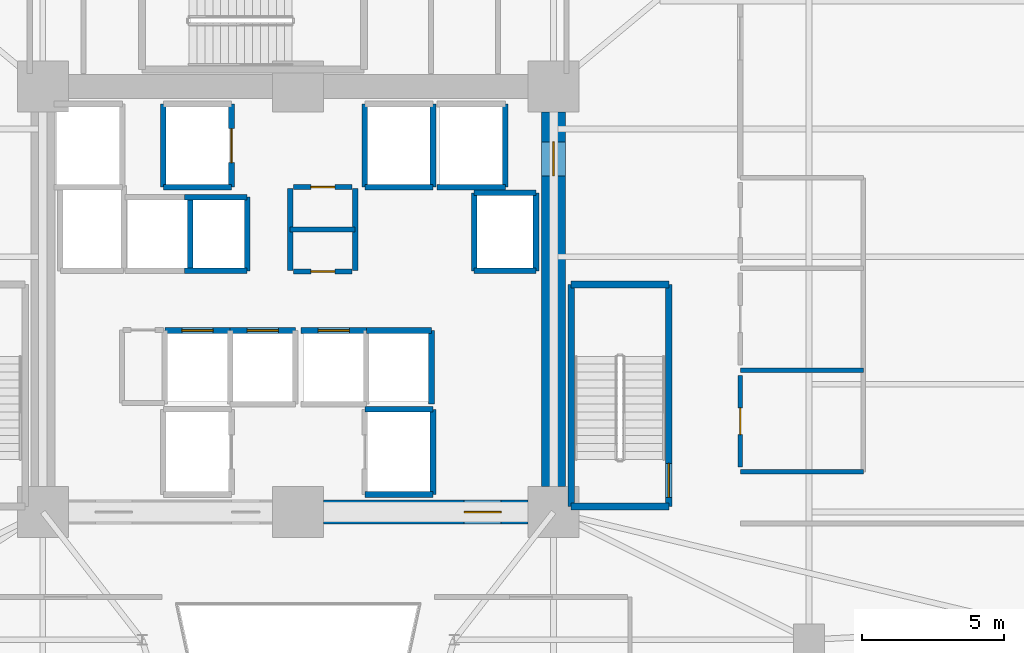
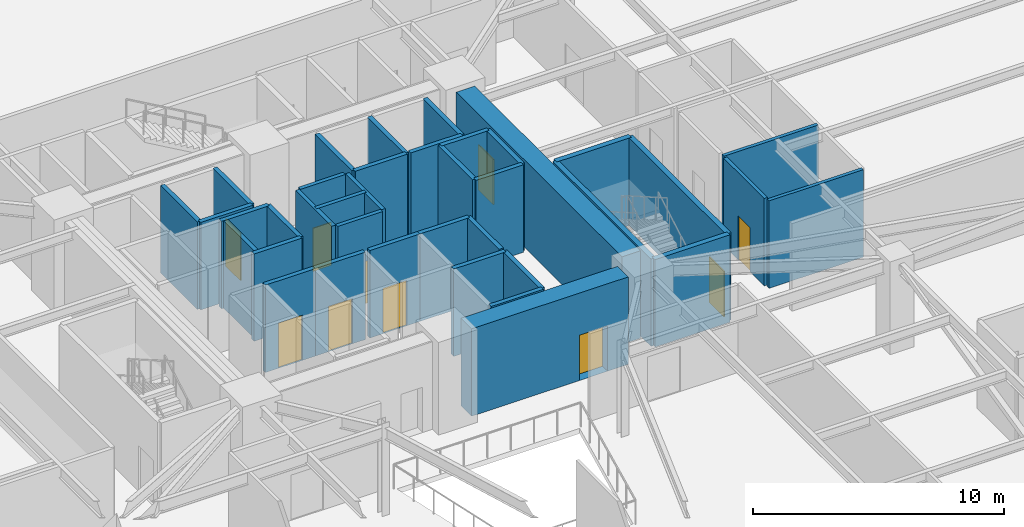
# One storey, part 9 of 19: 38 walls, 10 doors, 10 openings.
"""IFC4 building model written with IfcOpenShell, lengths in metres."""

from ifc_helpers import new_model, si_unit, direction, frame, frame_2d, origin, place, context, subcontext, project, spatial, rectangle, extrude, source, transform, mapped, material, layer, layer_set, type_object, element, fill, save


model = new_model("IFC4")

# Units and contexts
model_context = context("Model", 3, precision=1e-05, world=origin(), true_north=direction((0.0, 1.0)))
body_context = subcontext(model_context, "Body", "Model", "MODEL_VIEW")
ifc_project = project(units=[si_unit("LENGTHUNIT", "METRE"), si_unit("AREAUNIT", "SQUARE_METRE"), si_unit("VOLUMEUNIT", "CUBIC_METRE"), si_unit("PLANEANGLEUNIT", "RADIAN"), si_unit("MASSUNIT", "GRAM", prefix="KILO")], contexts=[model_context])

# Site, building, storey
site_placement = place(None, origin())
site = spatial("IfcSite", under=ifc_project, at=site_placement, CompositionType="ELEMENT")
building_placement = place(site_placement, origin())
building = spatial("IfcBuilding", under=site, at=building_placement, Name="Liaohun Quay Tower", CompositionType="ELEMENT")
storey_placement = place(building_placement, frame((0.0, 0.0, 9.89990234375)))
storey = spatial("IfcBuildingStorey", under=building, at=storey_placement, Name="L03", CompositionType="ELEMENT", Elevation=9.89990234375)

# Wall, opening, door
ifc_material_1 = material(Name="Concrete C60", Category="concrete")
ifc_layer_1 = layer(ifc_material_1, 0.85009765625, Name="Concrete C60", Category="concrete")
ifc_layer_set_1 = layer_set([ifc_layer_1], Name="Concrete C60")
wall_type_1 = type_object("IfcWallType", Name="WAL-COR-Z1", PredefinedType="SHEAR", material=ifc_layer_set_1)
wall_1_placement = place(storey_placement, frame((69.0, 60.60009765625, 0.0), z_axis=(0.0, 0.0, 1.0), x_axis=(0.0, -1.0, 0.0)))
wall_1 = element("IfcWall", 1, at=wall_1_placement, inside=storey, type_object=wall_type_1, Name="L03 Central Core Shear Wall E", PredefinedType="SHEAR", context=body_context, shape_type="SweptSolid", body=[
    extrude(rectangle(XDim=13.2001953125, YDim=0.85009765625, at=frame_2d((6.60009765625, 0.0))), origin(), (0.0, 0.0, 1.0), 4.25),
])
shared_shape_1 = source(origin(), body_context, "Body", "SweptSolid", [
    extrude(rectangle(XDim=1.199951171875, YDim=2.199951171875, at=frame_2d((0.60009765625, 1.10009765625))), frame((0.0, 0.43505859375, 0.0), z_axis=(0.0, -1.0, 0.0), x_axis=(1.0, 0.0, 0.0)), (0.0, 0.0, 1.0), 0.8701171875),
])
opening_1_placement = place(wall_1_placement, frame((1.050048828125, 0.0, 0.0)))
opening_1 = element("IfcOpeningElement", 2, at=opening_1_placement, cuts=wall_1, Name="Opening SD1", PredefinedType="OPENING", context=body_context, shape_type="MappedRepresentation", body=[
    mapped(shared_shape_1, transform((0.0, 0.0, 0.0), x_axis=(1.0, 0.0, 0.0), y_axis=(0.0, 1.0, 0.0), z_axis=(0.0, 0.0, 1.0), scale=1.0)),
])
ifc_material_2 = material(Name="Galvanised steel fire door", Category="steel")
door_type_1 = type_object("IfcDoorType", Name="DOR-STR-1200", OperationType="NOTDEFINED", PredefinedType="DOOR", material=ifc_material_2)
shared_shape_2 = source(origin(), body_context, "Body", "SweptSolid", [
    extrude(rectangle(XDim=1.199951171875, YDim=2.199951171875, at=frame_2d((0.60009765625, 1.10009765625))), frame((0.0, 0.02490234375, 0.0), z_axis=(0.0, -1.0, 0.0), x_axis=(1.0, 0.0, 0.0)), (0.0, 0.0, 1.0), 0.050048828125),
])
door_1_placement = place(opening_1_placement, origin())
door_1 = element("IfcDoor", 3, at=door_1_placement, inside=storey, type_object=door_type_1, Name="L03 North-East Core Lobby Smokeproof Door", OperationType="SINGLE_SWING_LEFT", OverallHeight=2.199951171875, OverallWidth=1.199951171875, PredefinedType="DOOR", context=body_context, shape_type="MappedRepresentation", body=[
    mapped(shared_shape_2, transform((0.0, 0.0, 0.0), x_axis=(1.0, 0.0, 0.0), y_axis=(0.0, 1.0, 0.0), z_axis=(0.0, 0.0, 1.0), scale=1.0)),
])
fill(opening_1, door_1)

wall_2_placement = place(storey_placement, frame((68.10009765625, 46.5, 0.0), z_axis=(0.0, 0.0, 1.0), x_axis=(-1.0, 0.0, 0.0)))
wall_2 = element("IfcWall", 4, at=wall_2_placement, inside=storey, type_object=wall_type_1, Name="L03 Central Core Shear Wall S-E", PredefinedType="SHEAR", context=body_context, shape_type="SweptSolid", body=[
    extrude(rectangle(XDim=7.2001953125, YDim=0.85009765625, at=frame_2d((3.60009765625, 0.0))), origin(), (0.0, 0.0, 1.0), 4.25),
])
shared_shape_3 = source(origin(), body_context, "Body", "SweptSolid", [
    extrude(rectangle(XDim=1.300048828125, YDim=2.199951171875, at=frame_2d((0.64990234375, 1.10009765625))), frame((0.0, 0.43505859375, 0.0), z_axis=(0.0, -1.0, 0.0), x_axis=(1.0, 0.0, 0.0)), (0.0, 0.0, 1.0), 0.8701171875),
])
opening_2_placement = place(wall_2_placement, frame((0.949951171875, 0.0, 0.0)))
opening_2 = element("IfcOpeningElement", 5, at=opening_2_placement, cuts=wall_2, Name="Opening FD1", PredefinedType="OPENING", context=body_context, shape_type="MappedRepresentation", body=[
    mapped(shared_shape_3, transform((0.0, 0.0, 0.0), x_axis=(1.0, 0.0, 0.0), y_axis=(0.0, 1.0, 0.0), z_axis=(0.0, 0.0, 1.0), scale=1.0)),
])
ifc_material_3 = material(Name="Galvanised steel smokeproof fire door", Category="steel")
door_type_2 = type_object("IfcDoorType", Name="DOR-FFL-1300", OperationType="NOTDEFINED", PredefinedType="DOOR", material=ifc_material_3)
shared_shape_4 = source(origin(), body_context, "Body", "SweptSolid", [
    extrude(rectangle(XDim=1.300048828125, YDim=2.199951171875, at=frame_2d((0.64990234375, 1.10009765625))), frame((0.0, 0.02490234375, 0.0), z_axis=(0.0, -1.0, 0.0), x_axis=(1.0, 0.0, 0.0)), (0.0, 0.0, 1.0), 0.050048828125),
])
door_2_placement = place(opening_2_placement, origin())
door_2 = element("IfcDoor", 6, at=door_2_placement, inside=storey, type_object=door_type_2, Name="L03 East Core Lift Lobby Smokeproof Door", OperationType="SINGLE_SWING_LEFT", OverallHeight=2.199951171875, OverallWidth=1.300048828125, PredefinedType="DOOR", context=body_context, shape_type="MappedRepresentation", body=[
    mapped(shared_shape_4, transform((0.0, 0.0, 0.0), x_axis=(1.0, 0.0, 0.0), y_axis=(0.0, 1.0, 0.0), z_axis=(0.0, 0.0, 1.0), scale=1.0)),
])
fill(opening_2, door_2)

ifc_material_4 = material(Name="Autoclaved aerated concrete blockwork", Category="masonry")
ifc_layer_2 = layer(ifc_material_4, 0.179931640625, Name="Autoclaved aerated concrete blockwork", Category="masonry")
ifc_layer_set_2 = layer_set([ifc_layer_2], Name="Autoclaved aerated concrete blockwork")
wall_type_2 = type_object("IfcWallType", Name="WAL-PRT-COR", PredefinedType="PARTITIONING", material=ifc_layer_set_2)
wall_3_placement = place(storey_placement, frame((59.840087890625, 54.97998046875, 0.0), z_axis=(0.0, 0.0, 1.0), x_axis=(1.0, 0.0, 0.0)))
wall_3 = element("IfcWall", 7, at=wall_3_placement, inside=storey, type_object=wall_type_2, Name="L03 Interior Partition Wall 001", PredefinedType="PARTITIONING", context=body_context, shape_type="SweptSolid", body=[
    extrude(rectangle(XDim=2.059814453125, YDim=0.179931640625, at=frame_2d((1.02978515625, 0.0))), origin(), (0.0, 0.0, 1.0), 4.25),
])
shared_shape_5 = source(origin(), body_context, "Body", "SweptSolid", [
    extrude(rectangle(XDim=0.85009765625, YDim=2.10009765625, at=frame_2d((0.425048828125, 1.050048828125))), frame((0.0, 0.099853515625, 0.0), z_axis=(0.0, -1.0, 0.0), x_axis=(1.0, 0.0, 0.0)), (0.0, 0.0, 1.0), 0.199951171875),
])
opening_3_placement = place(wall_3_placement, frame((0.60498046875, 0.0, 0.0)))
opening_3 = element("IfcOpeningElement", 8, at=opening_3_placement, cuts=wall_3, Name="Opening AD1", PredefinedType="OPENING", context=body_context, shape_type="MappedRepresentation", body=[
    mapped(shared_shape_5, transform((0.0, 0.0, 0.0), x_axis=(1.0, 0.0, 0.0), y_axis=(0.0, 1.0, 0.0), z_axis=(0.0, 0.0, 1.0), scale=1.0)),
])
ifc_material_5 = material(Name="Steel riser inspection fire door", Category="steel")
door_type_3 = type_object("IfcDoorType", Name="DOR-SHF-850", OperationType="NOTDEFINED", PredefinedType="DOOR", material=ifc_material_5)
shared_shape_6 = source(origin(), body_context, "Body", "SweptSolid", [
    extrude(rectangle(XDim=0.85009765625, YDim=2.10009765625, at=frame_2d((0.425048828125, 1.050048828125))), frame((0.0, 0.02490234375, 0.0), z_axis=(0.0, -1.0, 0.0), x_axis=(1.0, 0.0, 0.0)), (0.0, 0.0, 1.0), 0.050048828125),
])
door_3_placement = place(opening_3_placement, origin())
door_3 = element("IfcDoor", 9, at=door_3_placement, inside=storey, type_object=door_type_3, Name="L03 Electrical Riser Room Door", OperationType="SINGLE_SWING_RIGHT", OverallHeight=2.10009765625, OverallWidth=0.85009765625, PredefinedType="DOOR", context=body_context, shape_type="MappedRepresentation", body=[
    mapped(shared_shape_6, transform((0.0, 0.0, 0.0), x_axis=(1.0, 0.0, 0.0), y_axis=(0.0, 1.0, 0.0), z_axis=(0.0, 0.0, 1.0), scale=1.0)),
])
fill(opening_3, door_3)

wall_4_placement = place(storey_placement, frame((59.840087890625, 57.949951171875, 0.0), z_axis=(0.0, 0.0, 1.0), x_axis=(1.0, 0.0, 0.0)))
wall_4 = element("IfcWall", 10, at=wall_4_placement, inside=storey, type_object=wall_type_2, Name="L03 Interior Partition Wall 002", PredefinedType="PARTITIONING", context=body_context, shape_type="SweptSolid", body=[
    extrude(rectangle(XDim=2.059814453125, YDim=0.179931640625, at=frame_2d((1.02978515625, 0.0))), origin(), (0.0, 0.0, 1.0), 4.25),
])
opening_4_placement = place(wall_4_placement, frame((0.60498046875, 0.0, 0.0)))
opening_4 = element("IfcOpeningElement", 11, at=opening_4_placement, cuts=wall_4, Name="Opening AD1", PredefinedType="OPENING", context=body_context, shape_type="MappedRepresentation", body=[
    mapped(shared_shape_5, transform((0.0, 0.0, 0.0), x_axis=(1.0, 0.0, 0.0), y_axis=(0.0, 1.0, 0.0), z_axis=(0.0, 0.0, 1.0), scale=1.0)),
])
door_4_placement = place(opening_4_placement, origin())
door_4 = element("IfcDoor", 12, at=door_4_placement, inside=storey, type_object=door_type_3, Name="L03 Telecom Comms Closet Door", OperationType="SINGLE_SWING_LEFT", OverallHeight=2.10009765625, OverallWidth=0.85009765625, PredefinedType="DOOR", context=body_context, shape_type="MappedRepresentation", body=[
    mapped(shared_shape_6, transform((0.0, 0.0, 0.0), x_axis=(1.0, 0.0, 0.0), y_axis=(0.0, 1.0, 0.0), z_axis=(0.0, 0.0, 1.0), scale=1.0)),
])
fill(opening_4, door_4)

# Walls
for number, where, z_axis, x_axis, name in (
    (13, (59.719970703125, 55.02001953125, 0.0), (0.0, 0.0, 1.0), (0.0, 1.0, 0.0), "L03 Interior Partition Wall 021"),
    (14, (62.010009765625, 55.02001953125, 0.0), (0.0, 0.0, 1.0), (0.0, 1.0, 0.0), "L03 Interior Partition Wall 022"),
):
    element("IfcWall", number, at=place(storey_placement, frame(where, z_axis=z_axis, x_axis=x_axis)), inside=storey, type_object=wall_type_2, Name=name, PredefinedType="PARTITIONING", context=body_context, shape_type="SweptSolid", body=[
        extrude(rectangle(XDim=2.8798828125, YDim=0.179931640625, at=frame_2d((1.43994140625, 0.0))), origin(), (0.0, 0.0, 1.0), 4.25),
    ])
wall_5_placement = place(storey_placement, frame((59.719970703125, 56.4599609375, 0.0), z_axis=(0.0, 0.0, 1.0), x_axis=(1.0, 0.0, 0.0)))
element("IfcWall", 15, at=wall_5_placement, inside=storey, type_object=wall_type_2, Name="L03 Interior Partition Wall 023", PredefinedType="PARTITIONING", context=body_context, shape_type="SweptSolid", body=[
    extrude(rectangle(XDim=2.2900390625, YDim=0.179931640625, at=frame_2d((1.14501953125, 0.0))), origin(), (0.0, 0.0, 1.0), 4.25),
])

# Wall, opening, door
ifc_material_6 = material(Name="Moisture-resistant masonry blockwork", Category="masonry")
ifc_layer_3 = layer(ifc_material_6, 0.159912109375, Name="Moisture-resistant masonry blockwork", Category="masonry")
ifc_layer_set_3 = layer_set([ifc_layer_3], Name="Moisture-resistant masonry blockwork")
wall_type_3 = type_object("IfcWallType", Name="WAL-PRT-WET", PredefinedType="PARTITIONING", material=ifc_layer_set_3)
wall_6_placement = place(storey_placement, frame((75.580078125, 48.080078125, 0.0), z_axis=(0.0, 0.0, 1.0), x_axis=(0.0, 1.0, 0.0)))
wall_6 = element("IfcWall", 16, at=wall_6_placement, inside=storey, type_object=wall_type_3, Name="L03 Interior Partition Wall 004", PredefinedType="PARTITIONING", context=body_context, shape_type="SweptSolid", body=[
    extrude(rectangle(XDim=3.239990234375, YDim=0.159912109375, at=frame_2d((1.6201171875, 0.0))), origin(), (0.0, 0.0, 1.0), 4.25),
])
shared_shape_7 = source(origin(), body_context, "Body", "SweptSolid", [
    extrude(rectangle(XDim=0.949951171875, YDim=2.14990234375, at=frame_2d((0.47509765625, 1.074951171875))), frame((0.0, 0.08984375, 0.0), z_axis=(0.0, -1.0, 0.0), x_axis=(1.0, 0.0, 0.0)), (0.0, 0.0, 1.0), 0.179931640625),
])
opening_5_placement = place(wall_6_placement, frame((1.14501953125, 0.0, 0.0)))
opening_5 = element("IfcOpeningElement", 17, at=opening_5_placement, cuts=wall_6, Name="Opening WD1", PredefinedType="OPENING", context=body_context, shape_type="MappedRepresentation", body=[
    mapped(shared_shape_7, transform((0.0, 0.0, 0.0), x_axis=(1.0, 0.0, 0.0), y_axis=(0.0, 1.0, 0.0), z_axis=(0.0, 0.0, 1.0), scale=1.0)),
])
ifc_material_7 = material(Name="Moisture-resistant laminate timber leaf", Category="wood")
door_type_4 = type_object("IfcDoorType", Name="DOR-WC-950", OperationType="NOTDEFINED", PredefinedType="DOOR", material=ifc_material_7)
shared_shape_8 = source(origin(), body_context, "Body", "SweptSolid", [
    extrude(rectangle(XDim=0.949951171875, YDim=2.14990234375, at=frame_2d((0.47509765625, 1.074951171875))), frame((0.0, 0.02490234375, 0.0), z_axis=(0.0, -1.0, 0.0), x_axis=(1.0, 0.0, 0.0)), (0.0, 0.0, 1.0), 0.050048828125),
])
door_5_placement = place(opening_5_placement, origin())
door_5 = element("IfcDoor", 18, at=door_5_placement, inside=storey, type_object=door_type_4, Name="L03 Podium Male Restroom WC Door", OperationType="SINGLE_SWING_LEFT", OverallHeight=2.14990234375, OverallWidth=0.949951171875, PredefinedType="DOOR", context=body_context, shape_type="MappedRepresentation", body=[
    mapped(shared_shape_8, transform((0.0, 0.0, 0.0), x_axis=(1.0, 0.0, 0.0), y_axis=(0.0, 1.0, 0.0), z_axis=(0.0, 0.0, 1.0), scale=1.0)),
])
fill(opening_5, door_5)

# Walls
for number, where, z_axis, x_axis, name in (
    (19, (75.580078125, 47.919921875, 0.0), (0.0, 0.0, 1.0), (1.0, 0.0, 0.0), "L03 Interior Partition Wall 027"),
    (20, (75.580078125, 51.5, 0.0), (0.0, 0.0, 1.0), (1.0, 0.0, 0.0), "L03 Interior Partition Wall 028"),
):
    element("IfcWall", number, at=place(storey_placement, frame(where, z_axis=z_axis, x_axis=x_axis)), inside=storey, type_object=wall_type_3, Name=name, PredefinedType="PARTITIONING", context=body_context, shape_type="SweptSolid", body=[
        extrude(rectangle(XDim=4.33984375, YDim=0.159912109375, at=frame_2d((2.169921875, 0.0))), origin(), (0.0, 0.0, 1.0), 4.25),
    ])
ifc_material_8 = material(Name="Concrete C50", Category="concrete")
ifc_layer_4 = layer(ifc_material_8, 0.239990234375, Name="Concrete C50", Category="concrete")
ifc_layer_set_4 = layer_set([ifc_layer_4], Name="Concrete C50")
wall_type_4 = type_object("IfcWallType", Name="WAL-SHF-200", PredefinedType="SOLIDWALL", material=ifc_layer_set_4)
wall_7_placement = place(storey_placement, frame((69.6201171875, 46.699951171875, 0.0), z_axis=(0.0, 0.0, 1.0), x_axis=(1.0, 0.0, 0.0)))
element("IfcWall", 21, at=wall_7_placement, inside=storey, type_object=wall_type_4, Name="L03 Stairwell ST-2 Structural Core Wall S", PredefinedType="SOLIDWALL", context=body_context, shape_type="SweptSolid", body=[
    extrude(rectangle(XDim=3.43994140625, YDim=0.239990234375, at=frame_2d((1.719970703125, 0.0))), origin(), (0.0, 0.0, 1.0), 4.25),
])

# Wall, opening, door
wall_8_placement = place(storey_placement, frame((73.06005859375, 46.699951171875, 0.0), z_axis=(0.0, 0.0, 1.0), x_axis=(0.0, 1.0, 0.0)))
wall_8 = element("IfcWall", 22, at=wall_8_placement, inside=storey, type_object=wall_type_4, Name="L03 Stairwell ST-2 Structural Core Wall E", PredefinedType="SOLIDWALL", context=body_context, shape_type="SweptSolid", body=[
    extrude(rectangle(XDim=7.820068359375, YDim=0.239990234375, at=frame_2d((3.91015625, 0.0))), origin(), (0.0, 0.0, 1.0), 4.25),
])
shared_shape_9 = source(origin(), body_context, "Body", "SweptSolid", [
    extrude(rectangle(XDim=1.199951171875, YDim=2.199951171875, at=frame_2d((0.60009765625, 1.10009765625))), frame((0.0, 0.1298828125, 0.0), z_axis=(0.0, -1.0, 0.0), x_axis=(1.0, 0.0, 0.0)), (0.0, 0.0, 1.0), 0.260009765625),
])
opening_6_placement = place(wall_8_placement, frame((0.320068359375, 0.0, 0.0)))
opening_6 = element("IfcOpeningElement", 23, at=opening_6_placement, cuts=wall_8, Name="Opening SD1", PredefinedType="OPENING", context=body_context, shape_type="MappedRepresentation", body=[
    mapped(shared_shape_9, transform((0.0, 0.0, 0.0), x_axis=(1.0, 0.0, 0.0), y_axis=(0.0, 1.0, 0.0), z_axis=(0.0, 0.0, 1.0), scale=1.0)),
])
door_6_placement = place(opening_6_placement, origin())
door_6 = element("IfcDoor", 24, at=door_6_placement, inside=storey, type_object=door_type_1, Name="L03 Protected Stair ST-2 Fire Door", OperationType="SINGLE_SWING_RIGHT", OverallHeight=2.199951171875, OverallWidth=1.199951171875, PredefinedType="DOOR", context=body_context, shape_type="MappedRepresentation", body=[
    mapped(shared_shape_2, transform((0.0, 0.0, 0.0), x_axis=(1.0, 0.0, 0.0), y_axis=(0.0, 1.0, 0.0), z_axis=(0.0, 0.0, 1.0), scale=1.0)),
])
fill(opening_6, door_6)

# Walls
wall_9_placement = place(storey_placement, frame((73.06005859375, 54.52001953125, 0.0), z_axis=(0.0, 0.0, 1.0), x_axis=(-1.0, 0.0, 0.0)))
element("IfcWall", 25, at=wall_9_placement, inside=storey, type_object=wall_type_4, Name="L03 Stairwell ST-2 Structural Core Wall N", PredefinedType="SOLIDWALL", context=body_context, shape_type="SweptSolid", body=[
    extrude(rectangle(XDim=3.43994140625, YDim=0.239990234375, at=frame_2d((1.719970703125, 0.0))), origin(), (0.0, 0.0, 1.0), 4.25),
])
wall_10_placement = place(storey_placement, frame((69.6201171875, 54.52001953125, 0.0), z_axis=(0.0, 0.0, 1.0), x_axis=(0.0, -1.0, 0.0)))
element("IfcWall", 26, at=wall_10_placement, inside=storey, type_object=wall_type_4, Name="L03 Stairwell ST-2 Structural Core Wall W", PredefinedType="SOLIDWALL", context=body_context, shape_type="SweptSolid", body=[
    extrude(rectangle(XDim=7.820068359375, YDim=0.239990234375, at=frame_2d((3.91015625, 0.0))), origin(), (0.0, 0.0, 1.0), 4.25),
])
wall_11_placement = place(storey_placement, frame((62.35009765625, 47.1201171875, 0.0), z_axis=(0.0, 0.0, 1.0), x_axis=(1.0, 0.0, 0.0)))
element("IfcWall", 27, at=wall_11_placement, inside=storey, type_object=wall_type_4, Name="L03 Lift FF-02 Hoistway Wall S", PredefinedType="SOLIDWALL", context=body_context, shape_type="SweptSolid", body=[
    extrude(rectangle(XDim=2.39990234375, YDim=0.199951171875, at=frame_2d((1.199951171875, 0.0))), origin(), (0.0, 0.0, 1.0), 4.25),
])
wall_12_placement = place(storey_placement, frame((64.75, 47.1201171875, 0.0), z_axis=(0.0, 0.0, 1.0), x_axis=(0.0, 1.0, 0.0)))
element("IfcWall", 28, at=wall_12_placement, inside=storey, type_object=wall_type_4, Name="L03 Lift FF-02 Hoistway Wall E", PredefinedType="SOLIDWALL", context=body_context, shape_type="SweptSolid", body=[
    extrude(rectangle(XDim=3.0, YDim=0.199951171875, at=frame_2d((1.5, 0.0))), origin(), (0.0, 0.0, 1.0), 4.25),
])
for number, where, z_axis, x_axis, name in (
    (29, (64.75, 50.1201171875, 0.0), (0.0, 0.0, 1.0), (-1.0, 0.0, 0.0), "L03 Lift FF-02 Hoistway Wall N"),
    (30, (55.25, 57.949951171875, 0.0), (0.0, 0.0, 1.0), (1.0, 0.0, 0.0), "L03 Lift FF-03 Hoistway Wall S"),
):
    element("IfcWall", number, at=place(storey_placement, frame(where, z_axis=z_axis, x_axis=x_axis)), inside=storey, type_object=wall_type_4, Name=name, PredefinedType="SOLIDWALL", context=body_context, shape_type="SweptSolid", body=[
        extrude(rectangle(XDim=2.39990234375, YDim=0.199951171875, at=frame_2d((1.199951171875, 0.0))), origin(), (0.0, 0.0, 1.0), 4.25),
    ])

# Wall, opening, door
wall_13_placement = place(storey_placement, frame((57.64990234375, 57.949951171875, 0.0), z_axis=(0.0, 0.0, 1.0), x_axis=(0.0, 1.0, 0.0)))
wall_13 = element("IfcWall", 31, at=wall_13_placement, inside=storey, type_object=wall_type_4, Name="L03 Lift FF-03 Hoistway Wall E", PredefinedType="SOLIDWALL", context=body_context, shape_type="SweptSolid", body=[
    extrude(rectangle(XDim=2.929931640625, YDim=0.199951171875, at=frame_2d((1.46484375, 0.0))), origin(), (0.0, 0.0, 1.0), 4.25),
])
shared_shape_10 = source(origin(), body_context, "Body", "SweptSolid", [
    extrude(rectangle(XDim=1.199951171875, YDim=2.300048828125, at=frame_2d((0.60009765625, 1.14990234375))), frame((0.0, 0.10986328125, 0.0), z_axis=(0.0, -1.0, 0.0), x_axis=(1.0, 0.0, 0.0)), (0.0, 0.0, 1.0), 0.219970703125),
])
opening_7_placement = place(wall_13_placement, frame((0.864990234375, 0.0, 0.0)))
opening_7 = element("IfcOpeningElement", 32, at=opening_7_placement, cuts=wall_13, Name="Opening LD2", PredefinedType="OPENING", context=body_context, shape_type="MappedRepresentation", body=[
    mapped(shared_shape_10, transform((0.0, 0.0, 0.0), x_axis=(1.0, 0.0, 0.0), y_axis=(0.0, 1.0, 0.0), z_axis=(0.0, 0.0, 1.0), scale=1.0)),
])
ifc_material_9 = material(Name="Brushed stainless steel stretcher landing door", Category="steel")
door_type_5 = type_object("IfcDoorType", Name="DOR-LFT-1200", OperationType="SLIDING_TO_LEFT", PredefinedType="DOOR", material=ifc_material_9)
shared_shape_11 = source(origin(), body_context, "Body", "SweptSolid", [
    extrude(rectangle(XDim=1.199951171875, YDim=2.300048828125, at=frame_2d((0.60009765625, 1.14990234375))), frame((0.0, 0.02490234375, 0.0), z_axis=(0.0, -1.0, 0.0), x_axis=(1.0, 0.0, 0.0)), (0.0, 0.0, 1.0), 0.050048828125),
])
door_7_placement = place(opening_7_placement, origin())
door_7 = element("IfcDoor", 33, at=door_7_placement, inside=storey, type_object=door_type_5, Name="L03 Lift FF-03 Sliding Landing Door", OperationType="SLIDING_TO_LEFT", OverallHeight=2.300048828125, OverallWidth=1.199951171875, PredefinedType="DOOR", context=body_context, shape_type="MappedRepresentation", body=[
    mapped(shared_shape_11, transform((0.0, 0.0, 0.0), x_axis=(1.0, 0.0, 0.0), y_axis=(0.0, 1.0, 0.0), z_axis=(0.0, 0.0, 1.0), scale=1.0)),
])
fill(opening_7, door_7)

# Walls
wall_14_placement = place(storey_placement, frame((55.25, 60.8798828125, 0.0), z_axis=(0.0, 0.0, 1.0), x_axis=(0.0, -1.0, 0.0)))
element("IfcWall", 34, at=wall_14_placement, inside=storey, type_object=wall_type_4, Name="L03 Lift FF-03 Hoistway Wall W", PredefinedType="SOLIDWALL", context=body_context, shape_type="SweptSolid", body=[
    extrude(rectangle(XDim=2.929931640625, YDim=0.199951171875, at=frame_2d((1.46484375, 0.0))), origin(), (0.0, 0.0, 1.0), 4.25),
])
wall_15_placement = place(storey_placement, frame((62.35009765625, 57.949951171875, 0.0), z_axis=(0.0, 0.0, 1.0), x_axis=(1.0, 0.0, 0.0)))
element("IfcWall", 35, at=wall_15_placement, inside=storey, type_object=wall_type_4, Name="L03 Lift OB-01 Hoistway Wall S", PredefinedType="SOLIDWALL", context=body_context, shape_type="SweptSolid", body=[
    extrude(rectangle(XDim=2.39990234375, YDim=0.199951171875, at=frame_2d((1.199951171875, 0.0))), origin(), (0.0, 0.0, 1.0), 4.25),
])
for number, where, z_axis, x_axis, name in (
    (36, (64.75, 57.949951171875, 0.0), (0.0, 0.0, 1.0), (0.0, 1.0, 0.0), "L03 Lift OB-01 Hoistway Wall E"),
    (37, (62.35009765625, 60.8798828125, 0.0), (0.0, 0.0, 1.0), (0.0, -1.0, 0.0), "L03 Lift OB-01 Hoistway Wall W"),
):
    element("IfcWall", number, at=place(storey_placement, frame(where, z_axis=z_axis, x_axis=x_axis)), inside=storey, type_object=wall_type_4, Name=name, PredefinedType="SOLIDWALL", context=body_context, shape_type="SweptSolid", body=[
        extrude(rectangle(XDim=2.929931640625, YDim=0.199951171875, at=frame_2d((1.46484375, 0.0))), origin(), (0.0, 0.0, 1.0), 4.25),
    ])
wall_16_placement = place(storey_placement, frame((64.89990234375, 57.949951171875, 0.0), z_axis=(0.0, 0.0, 1.0), x_axis=(1.0, 0.0, 0.0)))
element("IfcWall", 38, at=wall_16_placement, inside=storey, type_object=wall_type_4, Name="L03 Lift OB-02 Hoistway Wall S", PredefinedType="SOLIDWALL", context=body_context, shape_type="SweptSolid", body=[
    extrude(rectangle(XDim=2.400146484375, YDim=0.199951171875, at=frame_2d((1.2001953125, 0.0))), origin(), (0.0, 0.0, 1.0), 4.25),
])
wall_17_placement = place(storey_placement, frame((67.300048828125, 57.949951171875, 0.0), z_axis=(0.0, 0.0, 1.0), x_axis=(0.0, 1.0, 0.0)))
element("IfcWall", 39, at=wall_17_placement, inside=storey, type_object=wall_type_4, Name="L03 Lift OB-02 Hoistway Wall E", PredefinedType="SOLIDWALL", context=body_context, shape_type="SweptSolid", body=[
    extrude(rectangle(XDim=2.929931640625, YDim=0.199951171875, at=frame_2d((1.46484375, 0.0))), origin(), (0.0, 0.0, 1.0), 4.25),
])
wall_18_placement = place(storey_placement, frame((66.199951171875, 55.0, 0.0), z_axis=(0.0, 0.0, 1.0), x_axis=(1.0, 0.0, 0.0)))
element("IfcWall", 40, at=wall_18_placement, inside=storey, type_object=wall_type_4, Name="L03 Lift SH-03 Hoistway Wall S", PredefinedType="SOLIDWALL", context=body_context, shape_type="SweptSolid", body=[
    extrude(rectangle(XDim=2.179931640625, YDim=0.199951171875, at=frame_2d((1.08984375, 0.0))), origin(), (0.0, 0.0, 1.0), 4.25),
])
wall_19_placement = place(storey_placement, frame((68.3798828125, 55.0, 0.0), z_axis=(0.0, 0.0, 1.0), x_axis=(0.0, 1.0, 0.0)))
element("IfcWall", 41, at=wall_19_placement, inside=storey, type_object=wall_type_4, Name="L03 Lift SH-03 Hoistway Wall E", PredefinedType="SOLIDWALL", context=body_context, shape_type="SweptSolid", body=[
    extrude(rectangle(XDim=2.75, YDim=0.199951171875, at=frame_2d((1.375, 0.0))), origin(), (0.0, 0.0, 1.0), 4.25),
])
wall_20_placement = place(storey_placement, frame((68.3798828125, 57.75, 0.0), z_axis=(0.0, 0.0, 1.0), x_axis=(-1.0, 0.0, 0.0)))
element("IfcWall", 42, at=wall_20_placement, inside=storey, type_object=wall_type_4, Name="L03 Lift SH-03 Hoistway Wall N", PredefinedType="SOLIDWALL", context=body_context, shape_type="SweptSolid", body=[
    extrude(rectangle(XDim=2.179931640625, YDim=0.199951171875, at=frame_2d((1.08984375, 0.0))), origin(), (0.0, 0.0, 1.0), 4.25),
])
wall_21_placement = place(storey_placement, frame((66.199951171875, 57.75, 0.0), z_axis=(0.0, 0.0, 1.0), x_axis=(0.0, -1.0, 0.0)))
element("IfcWall", 43, at=wall_21_placement, inside=storey, type_object=wall_type_4, Name="L03 Lift SH-03 Hoistway Wall W", PredefinedType="SOLIDWALL", context=body_context, shape_type="SweptSolid", body=[
    extrude(rectangle(XDim=2.75, YDim=0.199951171875, at=frame_2d((1.375, 0.0))), origin(), (0.0, 0.0, 1.0), 4.25),
])

# Wall, opening, door
wall_22_placement = place(storey_placement, frame((57.60009765625, 52.89990234375, 0.0), z_axis=(0.0, 0.0, 1.0), x_axis=(-1.0, 0.0, 0.0)))
wall_22 = element("IfcWall", 44, at=wall_22_placement, inside=storey, type_object=wall_type_4, Name="L03 Lift PL-1A Hoistway Wall N", PredefinedType="SOLIDWALL", context=body_context, shape_type="SweptSolid", body=[
    extrude(rectangle(XDim=2.300048828125, YDim=0.199951171875, at=frame_2d((1.14990234375, 0.0))), origin(), (0.0, 0.0, 1.0), 4.25),
])
shared_shape_12 = source(origin(), body_context, "Body", "SweptSolid", [
    extrude(rectangle(XDim=1.10009765625, YDim=2.199951171875, at=frame_2d((0.550048828125, 1.10009765625))), frame((0.0, 0.10986328125, 0.0), z_axis=(0.0, -1.0, 0.0), x_axis=(1.0, 0.0, 0.0)), (0.0, 0.0, 1.0), 0.219970703125),
])
opening_8_placement = place(wall_22_placement, frame((0.60009765625, 0.0, 0.0)))
opening_8 = element("IfcOpeningElement", 45, at=opening_8_placement, cuts=wall_22, Name="Opening LD1", PredefinedType="OPENING", context=body_context, shape_type="MappedRepresentation", body=[
    mapped(shared_shape_12, transform((0.0, 0.0, 0.0), x_axis=(1.0, 0.0, 0.0), y_axis=(0.0, 1.0, 0.0), z_axis=(0.0, 0.0, 1.0), scale=1.0)),
])
ifc_material_10 = material(Name="Brushed stainless steel landing door", Category="steel")
door_type_6 = type_object("IfcDoorType", Name="DOR-LFT-1100", OperationType="SLIDING_TO_LEFT", PredefinedType="DOOR", material=ifc_material_10)
shared_shape_13 = source(origin(), body_context, "Body", "SweptSolid", [
    extrude(rectangle(XDim=1.10009765625, YDim=2.199951171875, at=frame_2d((0.550048828125, 1.10009765625))), frame((0.0, 0.02490234375, 0.0), z_axis=(0.0, -1.0, 0.0), x_axis=(1.0, 0.0, 0.0)), (0.0, 0.0, 1.0), 0.050048828125),
])
door_8_placement = place(opening_8_placement, origin())
door_8 = element("IfcDoor", 46, at=door_8_placement, inside=storey, type_object=door_type_6, Name="L03 Lift PL-1A Sliding Landing Door", OperationType="SLIDING_TO_LEFT", OverallHeight=2.199951171875, OverallWidth=1.10009765625, PredefinedType="DOOR", context=body_context, shape_type="MappedRepresentation", body=[
    mapped(shared_shape_13, transform((0.0, 0.0, 0.0), x_axis=(1.0, 0.0, 0.0), y_axis=(0.0, 1.0, 0.0), z_axis=(0.0, 0.0, 1.0), scale=1.0)),
])
fill(opening_8, door_8)

wall_23_placement = place(storey_placement, frame((59.89990234375, 52.89990234375, 0.0), z_axis=(0.0, 0.0, 1.0), x_axis=(-1.0, 0.0, 0.0)))
wall_23 = element("IfcWall", 47, at=wall_23_placement, inside=storey, type_object=wall_type_4, Name="L03 Lift PL-1B Hoistway Wall N", PredefinedType="SOLIDWALL", context=body_context, shape_type="SweptSolid", body=[
    extrude(rectangle(XDim=2.2998046875, YDim=0.199951171875, at=frame_2d((1.14990234375, 0.0))), origin(), (0.0, 0.0, 1.0), 4.25),
])
opening_9_placement = place(wall_23_placement, frame((0.60009765625, 0.0, 0.0)))
opening_9 = element("IfcOpeningElement", 48, at=opening_9_placement, cuts=wall_23, Name="Opening LD1", PredefinedType="OPENING", context=body_context, shape_type="MappedRepresentation", body=[
    mapped(shared_shape_12, transform((0.0, 0.0, 0.0), x_axis=(1.0, 0.0, 0.0), y_axis=(0.0, 1.0, 0.0), z_axis=(0.0, 0.0, 1.0), scale=1.0)),
])
door_9_placement = place(opening_9_placement, origin())
door_9 = element("IfcDoor", 49, at=door_9_placement, inside=storey, type_object=door_type_6, Name="L03 Lift PL-1B Sliding Landing Door", OperationType="SLIDING_TO_LEFT", OverallHeight=2.199951171875, OverallWidth=1.10009765625, PredefinedType="DOOR", context=body_context, shape_type="MappedRepresentation", body=[
    mapped(shared_shape_13, transform((0.0, 0.0, 0.0), x_axis=(1.0, 0.0, 0.0), y_axis=(0.0, 1.0, 0.0), z_axis=(0.0, 0.0, 1.0), scale=1.0)),
])
fill(opening_9, door_9)

wall_24_placement = place(storey_placement, frame((62.39990234375, 52.89990234375, 0.0), z_axis=(0.0, 0.0, 1.0), x_axis=(-1.0, 0.0, 0.0)))
wall_24 = element("IfcWall", 50, at=wall_24_placement, inside=storey, type_object=wall_type_4, Name="L03 Lift PL-1C Hoistway Wall N", PredefinedType="SOLIDWALL", context=body_context, shape_type="SweptSolid", body=[
    extrude(rectangle(XDim=2.2998046875, YDim=0.199951171875, at=frame_2d((1.14990234375, 0.0))), origin(), (0.0, 0.0, 1.0), 4.25),
])
opening_10_placement = place(wall_24_placement, frame((0.60009765625, 0.0, 0.0)))
opening_10 = element("IfcOpeningElement", 51, at=opening_10_placement, cuts=wall_24, Name="Opening LD1", PredefinedType="OPENING", context=body_context, shape_type="MappedRepresentation", body=[
    mapped(shared_shape_12, transform((0.0, 0.0, 0.0), x_axis=(1.0, 0.0, 0.0), y_axis=(0.0, 1.0, 0.0), z_axis=(0.0, 0.0, 1.0), scale=1.0)),
])
door_10_placement = place(opening_10_placement, origin())
door_10 = element("IfcDoor", 52, at=door_10_placement, inside=storey, type_object=door_type_6, Name="L03 Lift PL-1C Sliding Landing Door", OperationType="SLIDING_TO_LEFT", OverallHeight=2.199951171875, OverallWidth=1.10009765625, PredefinedType="DOOR", context=body_context, shape_type="MappedRepresentation", body=[
    mapped(shared_shape_13, transform((0.0, 0.0, 0.0), x_axis=(1.0, 0.0, 0.0), y_axis=(0.0, 1.0, 0.0), z_axis=(0.0, 0.0, 1.0), scale=1.0)),
])
fill(opening_10, door_10)

# Walls
wall_25_placement = place(storey_placement, frame((64.699951171875, 50.300048828125, 0.0), z_axis=(0.0, 0.0, 1.0), x_axis=(0.0, 1.0, 0.0)))
element("IfcWall", 53, at=wall_25_placement, inside=storey, type_object=wall_type_4, Name="L03 Lift PL-2A Hoistway Wall E", PredefinedType="SOLIDWALL", context=body_context, shape_type="SweptSolid", body=[
    extrude(rectangle(XDim=2.599853515625, YDim=0.199951171875, at=frame_2d((1.2998046875, 0.0))), origin(), (0.0, 0.0, 1.0), 4.25),
])
wall_26_placement = place(storey_placement, frame((64.699951171875, 52.89990234375, 0.0), z_axis=(0.0, 0.0, 1.0), x_axis=(-1.0, 0.0, 0.0)))
element("IfcWall", 54, at=wall_26_placement, inside=storey, type_object=wall_type_4, Name="L03 Lift PL-2A Hoistway Wall N", PredefinedType="SOLIDWALL", context=body_context, shape_type="SweptSolid", body=[
    extrude(rectangle(XDim=2.300048828125, YDim=0.199951171875, at=frame_2d((1.14990234375, 0.0))), origin(), (0.0, 0.0, 1.0), 4.25),
])
wall_27_placement = place(storey_placement, frame((56.199951171875, 55.0, 0.0), z_axis=(0.0, 0.0, 1.0), x_axis=(0.0, 1.0, 0.0)))
element("IfcWall", 55, at=wall_27_placement, inside=storey, type_object=wall_type_4, Name="L03 Lift PL-2B Hoistway Wall E", PredefinedType="SOLIDWALL", context=body_context, shape_type="SweptSolid", body=[
    extrude(rectangle(XDim=2.60009765625, YDim=0.199951171875, at=frame_2d((1.300048828125, 0.0))), origin(), (0.0, 0.0, 1.0), 4.25),
])
wall_28_placement = place(storey_placement, frame((56.0, 55.0, 0.0), z_axis=(0.0, 0.0, 1.0), x_axis=(1.0, 0.0, 0.0)))
element("IfcWall", 56, at=wall_28_placement, inside=storey, type_object=wall_type_4, Name="L03 Lift PL-2C Hoistway Wall S", PredefinedType="SOLIDWALL", context=body_context, shape_type="SweptSolid", body=[
    extrude(rectangle(XDim=2.199951171875, YDim=0.199951171875, at=frame_2d((1.10009765625, 0.0))), origin(), (0.0, 0.0, 1.0), 4.25),
])
wall_29_placement = place(storey_placement, frame((58.199951171875, 55.0, 0.0), z_axis=(0.0, 0.0, 1.0), x_axis=(0.0, 1.0, 0.0)))
element("IfcWall", 57, at=wall_29_placement, inside=storey, type_object=wall_type_4, Name="L03 Lift PL-2C Hoistway Wall E", PredefinedType="SOLIDWALL", context=body_context, shape_type="SweptSolid", body=[
    extrude(rectangle(XDim=2.60009765625, YDim=0.199951171875, at=frame_2d((1.300048828125, 0.0))), origin(), (0.0, 0.0, 1.0), 4.25),
])
wall_30_placement = place(storey_placement, frame((58.199951171875, 57.60009765625, 0.0), z_axis=(0.0, 0.0, 1.0), x_axis=(-1.0, 0.0, 0.0)))
element("IfcWall", 58, at=wall_30_placement, inside=storey, type_object=wall_type_4, Name="L03 Lift PL-2C Hoistway Wall N", PredefinedType="SOLIDWALL", context=body_context, shape_type="SweptSolid", body=[
    extrude(rectangle(XDim=2.199951171875, YDim=0.199951171875, at=frame_2d((1.10009765625, 0.0))), origin(), (0.0, 0.0, 1.0), 4.25),
])

save(model, "model.ifc")
